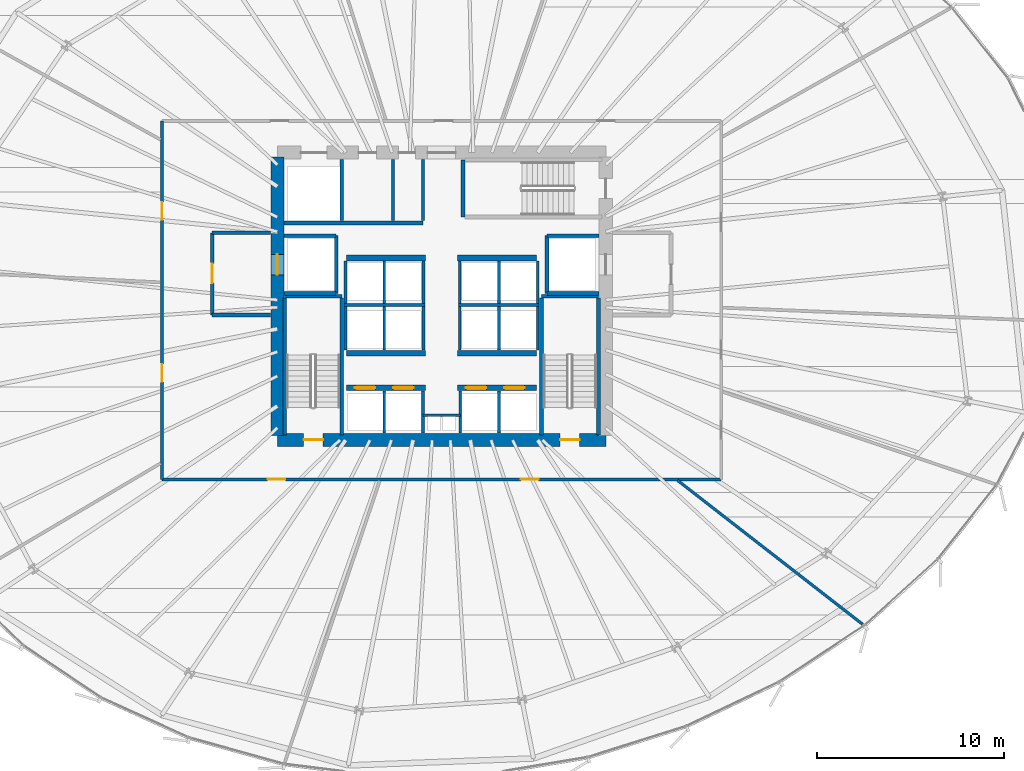
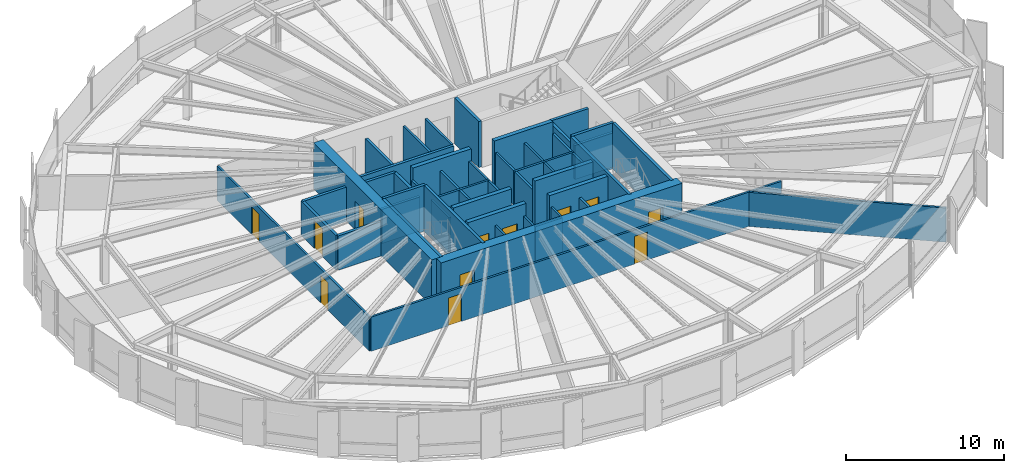
# One storey, part 31 of 38: 50 walls, 12 doors, 12 openings.
"""IFC4 building model written with IfcOpenShell, lengths in metres."""

import ifcopenshell
import ifcopenshell.guid

model = None  # the IFC model being written
_history = None  # IfcOwnerHistory: only IFC2X3 demands one
_inside = {}  # id of a spatial element -> (the spatial element, [elements in it])
_under = {}  # id of a project, library or spatial element -> (it, [spatial elements below it])
_declared = {}  # id of a project -> (the project, [libraries it declares])
_typed = {}  # id of a type object -> (the type object, [elements of that type])
_made_of = {}  # id of a material, layer set ... -> (it, [elements and type objects made of it])


def new_model(schema):
    """Start an empty IFC model of exactly this schema.

    Asked for "IFC4X3", IfcOpenShell would pick the latest addendum, in which some entities
    have other attributes; the version numbers below select the first issue.
    IFC2X3 requires an IfcOwnerHistory on every rooted entity: one is made here for all.
    """
    global model, _history
    if schema == "IFC4X3":
        model = ifcopenshell.file(schema_version=(4, 3, 0, 0))
    else:
        model = ifcopenshell.file(schema=schema)
    _inside.clear()
    _under.clear()
    _declared.clear()
    _typed.clear()
    _made_of.clear()
    _history = None
    if model.schema == "IFC2X3":
        org = make("IfcOrganization", Name="unknown")
        user = make(
            "IfcPersonAndOrganization",
            ThePerson=make("IfcPerson", FamilyName="unknown"),
            TheOrganization=org,
        )
        app = make(
            "IfcApplication",
            ApplicationDeveloper=org,
            Version="unknown",
            ApplicationFullName="unknown",
            ApplicationIdentifier="unknown",
        )
        _history = make(
            "IfcOwnerHistory",
            OwningUser=user,
            OwningApplication=app,
            ChangeAction="ADDED",
            CreationDate=0,
        )
    return model


def make(cls, **values):
    """One entity of the class cls with the attributes given. An attribute that is None is left unset."""
    return model.create_entity(
        cls, **{name: value for name, value in values.items() if value is not None}
    )


def rooted(cls, **values):
    """An entity with a GlobalId (a new one), such as an element, a storey or a relation."""
    return make(cls, GlobalId=ifcopenshell.guid.new(), OwnerHistory=_history, **values)


def si_unit(unit_type, name, prefix=None):
    """IfcSIUnit, for example si_unit("LENGTHUNIT", "METRE", prefix="MILLI")."""
    return make("IfcSIUnit", UnitType=unit_type, Prefix=prefix, Name=name)


def assignment(units):
    """IfcUnitAssignment: the units of a project."""
    return None if units is None else make("IfcUnitAssignment", Units=units)


def point(xyz):
    """IfcCartesianPoint."""
    return None if xyz is None else make("IfcCartesianPoint", Coordinates=xyz)


def direction(xyz):
    """IfcDirection."""
    return None if xyz is None else make("IfcDirection", DirectionRatios=xyz)


def frame(location, z_axis=None, x_axis=None):
    """IfcAxis2Placement3D, a coordinate frame: its origin and axes. An axis left out is left unset."""
    return make(
        "IfcAxis2Placement3D",
        Location=point(location),
        Axis=direction(z_axis),
        RefDirection=direction(x_axis),
    )


def frame_2d(location, x_axis=None):
    """IfcAxis2Placement2D, a coordinate frame in the plane: its origin and x axis."""
    return make(
        "IfcAxis2Placement2D", Location=point(location), RefDirection=direction(x_axis)
    )


def origin():
    """The frame at (0, 0, 0) with its axes left unset."""
    return frame((0.0, 0.0, 0.0))


def place(relative_to, where):
    """IfcLocalPlacement: puts the frame where relative to a parent placement (None: the world)."""
    return make(
        "IfcLocalPlacement", PlacementRelTo=relative_to, RelativePlacement=where
    )


def context(
    kind, dimensions, precision=None, world=None, true_north=None, identifier=None
):
    """IfcGeometricRepresentationContext, for example the 3D "Model" context."""
    return make(
        "IfcGeometricRepresentationContext",
        ContextIdentifier=identifier,
        ContextType=kind,
        CoordinateSpaceDimension=dimensions,
        Precision=precision,
        WorldCoordinateSystem=world,
        TrueNorth=true_north,
    )


def subcontext(parent, identifier, kind, view, scale=None):
    """IfcGeometricRepresentationSubContext, for example "Body" below "Model"."""
    return make(
        "IfcGeometricRepresentationSubContext",
        ContextIdentifier=identifier,
        ContextType=kind,
        ParentContext=parent,
        TargetScale=scale,
        TargetView=view,
    )


def project(units=None, contexts=None):
    """IfcProject with its units and contexts."""
    return rooted(
        "IfcProject",
        Name="project",
        RepresentationContexts=contexts,
        UnitsInContext=assignment(units),
    )


def spatial(cls, under=None, at=None, **own):
    """A site, building, storey or space (cls), placed at a placement, below another one or the project."""
    s = rooted(cls, ObjectPlacement=at, **own)
    if under is not None:
        _under.setdefault(under.id(), (under, []))[1].append(s)
    return s


def profile(cls, at=None, kind="AREA", **sizes):
    """A parametric profile (cls). Its sizes go by their IFC names, for example OverallWidth=200.0."""
    return make(cls, ProfileType=kind, Position=at, **sizes)


def rectangle(**sizes):
    """IfcRectangleProfileDef."""
    return profile("IfcRectangleProfileDef", **sizes)


def extrude(swept, where, along, depth):
    """IfcExtrudedAreaSolid: the profile swept, set in the frame where, extruded along a direction by depth."""
    return make(
        "IfcExtrudedAreaSolid",
        SweptArea=swept,
        Position=where,
        ExtrudedDirection=direction(along),
        Depth=depth,
    )


def shape(context_of_items, identifier, shape_type, items):
    """IfcShapeRepresentation: the items that make up one representation, for example the "Body"."""
    return make(
        "IfcShapeRepresentation",
        ContextOfItems=context_of_items,
        RepresentationIdentifier=identifier,
        RepresentationType=shape_type,
        Items=items,
    )


def source(mapping_origin, context_of_items, identifier, shape_type, items):
    """IfcRepresentationMap: a shape defined once, which mapped items show again and again."""
    return make(
        "IfcRepresentationMap",
        MappingOrigin=mapping_origin,
        MappedRepresentation=shape(context_of_items, identifier, shape_type, items),
    )


def transform(
    local_origin,
    x_axis=None,
    y_axis=None,
    z_axis=None,
    scale=None,
    scale2=None,
    scale3=None,
    uniform=True,
):
    """IfcCartesianTransformationOperator3D, or its non-uniform kind. x_axis, y_axis, z_axis: its Axis1, 2, 3."""
    if uniform:
        return make(
            "IfcCartesianTransformationOperator3D",
            Axis1=direction(x_axis),
            Axis2=direction(y_axis),
            LocalOrigin=point(local_origin),
            Scale=scale,
            Axis3=direction(z_axis),
        )
    return make(
        "IfcCartesianTransformationOperator3DnonUniform",
        Axis1=direction(x_axis),
        Axis2=direction(y_axis),
        LocalOrigin=point(local_origin),
        Scale=scale,
        Axis3=direction(z_axis),
        Scale2=scale2,
        Scale3=scale3,
    )


def mapped(mapping_source, mapping_target):
    """IfcMappedItem: shows the shape of a source again, moved by a transform."""
    return make(
        "IfcMappedItem", MappingSource=mapping_source, MappingTarget=mapping_target
    )


def material(Name=None, Category=None):
    """IfcMaterial."""
    return make("IfcMaterial", Name=Name, Category=Category)


def layer(
    of_material, thickness, ventilated=None, Name=None, Category=None, Priority=None
):
    """IfcMaterialLayer: one layer of a wall or slab, of a material (None: an air gap)."""
    return make(
        "IfcMaterialLayer",
        Material=of_material,
        LayerThickness=thickness,
        IsVentilated=ventilated,
        Name=Name,
        Category=Category,
        Priority=Priority,
    )


def layer_set(layers, Name=None):
    """IfcMaterialLayerSet."""
    return make("IfcMaterialLayerSet", MaterialLayers=layers, LayerSetName=Name)


def made_of(thing, what):
    """Note that an element or type object is made of a material, layer set ...; save() writes the relation."""
    if what is not None:
        _made_of.setdefault(what.id(), (what, []))[1].append(thing)
    return thing


def type_object(cls, material=None, **own):
    """A type object (cls), such as IfcWallType, which elements share."""
    return made_of(rooted(cls, **own), material)


def element(
    cls,
    number,
    at=None,
    inside=None,
    cuts=None,
    type_object=None,
    material=None,
    context=None,
    identifier="Body",
    shape_type=None,
    held_by="IfcProductDefinitionShape",
    body=None,
    shapes=None,
    **own,
):
    """One element of the class cls, such as IfcWall. Its Tag is "e" and its number.

    at: its placement. inside: the storey or other place that contains it. cuts: it is an
    opening in that element (IfcRelVoidsElement). A single representation is given by context,
    identifier, shape_type and body (its items); several are given by shapes. held_by: the class
    of the entity that holds the representations. save() writes the other relations.
    """
    e = rooted(cls, Tag="e%d" % number, ObjectPlacement=at, **own)
    if body is not None:
        shapes = [shape(context, identifier, shape_type, body)]
    if shapes is not None:
        e.Representation = make(held_by, Representations=shapes)
    if inside is not None:
        _inside.setdefault(inside.id(), (inside, []))[1].append(e)
    if cuts is not None:
        rooted(
            "IfcRelVoidsElement", RelatingBuildingElement=cuts, RelatedOpeningElement=e
        )
    if type_object is not None:
        _typed.setdefault(type_object.id(), (type_object, []))[1].append(e)
    return made_of(e, material)


def fill(opening, filler):
    """IfcRelFillsElement: the door or window that sits in an opening."""
    return rooted(
        "IfcRelFillsElement",
        RelatingOpeningElement=opening,
        RelatedBuildingElement=filler,
    )


def aggregate(whole, parts):
    """IfcRelAggregates: a whole, such as a stair, and the parts it consists of."""
    return rooted("IfcRelAggregates", RelatingObject=whole, RelatedObjects=parts)


def save(model, path):
    """Write the relations noted so far, then the file.

    IfcRelAggregates (storeys below a building ...), IfcRelContainedInSpatialStructure (elements
    in a storey), IfcRelDefinesByType, IfcRelAssociatesMaterial and IfcRelDeclares: one each for
    every whole, place, type object, material and project.
    """
    for whole, parts in _under.values():
        aggregate(whole, parts)
    for where, things in _inside.values():
        rooted(
            "IfcRelContainedInSpatialStructure",
            RelatedElements=things,
            RelatingStructure=where,
        )
    for kind, things in _typed.values():
        rooted("IfcRelDefinesByType", RelatedObjects=things, RelatingType=kind)
    for what, things in _made_of.values():
        rooted("IfcRelAssociatesMaterial", RelatedObjects=things, RelatingMaterial=what)
    for by, libraries in _declared.values():
        rooted("IfcRelDeclares", RelatingContext=by, RelatedDefinitions=libraries)
    model.write(path)


model = new_model("IFC4")

# Units and contexts
model_context = context("Model", 3, precision=1e-05, world=origin(), true_north=direction((0.0, 1.0)))
body_context = subcontext(model_context, "Body", "Model", "MODEL_VIEW")
ifc_project = project(units=[si_unit("LENGTHUNIT", "METRE"), si_unit("AREAUNIT", "SQUARE_METRE"), si_unit("VOLUMEUNIT", "CUBIC_METRE"), si_unit("PLANEANGLEUNIT", "RADIAN"), si_unit("MASSUNIT", "GRAM", prefix="KILO"), si_unit("THERMODYNAMICTEMPERATUREUNIT", "KELVIN")], contexts=[model_context])

# Site, building, storey
site_placement = place(None, origin())
site = spatial("IfcSite", under=ifc_project, at=site_placement, CompositionType="ELEMENT")
building_placement = place(site_placement, origin())
building = spatial("IfcBuilding", under=site, at=building_placement, Name="Kethvar Cultural Tower", CompositionType="ELEMENT")
storey_placement = place(building_placement, frame((0.0, 0.0, 52.39990234375)))
storey = spatial("IfcBuildingStorey", under=building, at=storey_placement, Name="L12", CompositionType="ELEMENT", Elevation=52.39990234375)

# Wall, openings, doors
ifc_material_1 = material(Name="Concrete C60/75", Category="concrete")
ifc_layer_1 = layer(ifc_material_1, 0.699951171875, Name="Concrete C60/75", Category="concrete")
ifc_layer_set_1 = layer_set([ifc_layer_1], Name="Concrete C60/75 (700 mm)")
wall_type_1 = type_object("IfcWallType", Name="WL-CORE-700", PredefinedType="SHEAR", material=ifc_layer_set_1)
wall_1_placement = place(storey_placement, frame((38.0, 20.10009765625, 0.0), z_axis=(0.0, 0.0, 1.0), x_axis=(1.0, 0.0, 0.0)))
wall_1 = element("IfcWall", 1, at=wall_1_placement, inside=storey, type_object=wall_type_1, Name="L12 Core Shear Wall S", PredefinedType="SHEAR", context=body_context, shape_type="SweptSolid", body=[
    extrude(rectangle(XDim=17.60009765625, YDim=0.699951171875, at=frame_2d((8.800048828125, 0.0))), origin(), (0.0, 0.0, 1.0), 3.550048828125),
])
opening_1_placement = place(wall_1_placement, frame((1.39990234375, 0.0, 0.0)))
opening_1 = element("IfcOpeningElement", 2, at=opening_1_placement, cuts=wall_1, Name="Opening D-L12-S1", PredefinedType="OPENING", context=body_context, shape_type="SweptSolid", body=[
    extrude(rectangle(XDim=1.050048828125, YDim=2.14990234375, at=frame_2d((0.52490234375, 1.074951171875))), frame((0.0, 0.35986328125, 0.0), z_axis=(0.0, -1.0, 0.0), x_axis=(1.0, 0.0, 0.0)), (0.0, 0.0, 1.0), 0.719970703125),
])
opening_2_placement = place(wall_1_placement, frame((15.14990234375, 0.0, 0.0)))
opening_2 = element("IfcOpeningElement", 3, at=opening_2_placement, cuts=wall_1, Name="Opening D-L12-ST2", PredefinedType="OPENING", context=body_context, shape_type="SweptSolid", body=[
    extrude(rectangle(XDim=1.050048828125, YDim=2.14990234375, at=frame_2d((0.52490234375, 1.074951171875))), frame((0.0, 0.35986328125, 0.0), z_axis=(0.0, -1.0, 0.0), x_axis=(1.0, 0.0, 0.0)), (0.0, 0.0, 1.0), 0.719970703125),
])
ifc_material_2 = material(Name="Steel S355J2", Category="steel")
door_type_1 = type_object("IfcDoorType", Name="DR-FD60-1050", OperationType="NOTDEFINED", PredefinedType="DOOR", material=ifc_material_2)
shared_shape_1 = source(origin(), body_context, "Body", "SweptSolid", [
    extrude(rectangle(XDim=1.050048828125, YDim=2.14990234375, at=frame_2d((0.52490234375, 1.074951171875))), frame((0.0, 0.02490234375, 0.0), z_axis=(0.0, -1.0, 0.0), x_axis=(1.0, 0.0, 0.0)), (0.0, 0.0, 1.0), 0.050048828125),
])
door_1_placement = place(opening_1_placement, origin())
door_1 = element("IfcDoor", 4, at=door_1_placement, inside=storey, type_object=door_type_1, Name="L12 Exit Stair 1 Door", OperationType="SINGLE_SWING_LEFT", OverallHeight=2.14990234375, OverallWidth=1.050048828125, PredefinedType="DOOR", context=body_context, shape_type="MappedRepresentation", body=[
    mapped(shared_shape_1, transform((0.0, 0.0, 0.0), scale=1.0)),
])
fill(opening_1, door_1)
door_2_placement = place(opening_2_placement, origin())
door_2 = element("IfcDoor", 5, at=door_2_placement, inside=storey, type_object=door_type_1, Name="L12 Exit Stair 2 Door", OperationType="SINGLE_SWING_RIGHT", OverallHeight=2.14990234375, OverallWidth=1.050048828125, PredefinedType="DOOR", context=body_context, shape_type="MappedRepresentation", body=[
    mapped(shared_shape_1, transform((0.0, 0.0, 0.0), scale=1.0)),
])
fill(opening_2, door_2)

# Wall, opening, door
wall_2_placement = place(storey_placement, frame((38.0, 35.260009765625, 0.0), z_axis=(0.0, 0.0, 1.0), x_axis=(0.0, -1.0, 0.0)))
wall_2 = element("IfcWall", 6, at=wall_2_placement, inside=storey, type_object=wall_type_1, Name="L12 Core Shear Wall W", PredefinedType="SHEAR", context=body_context, shape_type="SweptSolid", body=[
    extrude(rectangle(XDim=14.919921875, YDim=0.699951171875, at=frame_2d((7.4599609375, 0.0))), origin(), (0.0, 0.0, 1.0), 3.550048828125),
])
opening_3_placement = place(wall_2_placement, frame((5.2099609375, 0.0, 0.0)))
opening_3 = element("IfcOpeningElement", 7, at=opening_3_placement, cuts=wall_2, Name="Opening LD-1", PredefinedType="OPENING", context=body_context, shape_type="SweptSolid", body=[
    extrude(rectangle(XDim=1.10009765625, YDim=2.199951171875, at=frame_2d((0.550048828125, 1.10009765625))), frame((0.0, 0.35986328125, 0.0), z_axis=(0.0, -1.0, 0.0), x_axis=(1.0, 0.0, 0.0)), (0.0, 0.0, 1.0), 0.719970703125),
])
door_type_2 = type_object("IfcDoorType", Name="DR-LIFT-SLIDE-1100", OperationType="NOTDEFINED", PredefinedType="DOOR", material=ifc_material_2)
shared_shape_2 = source(origin(), body_context, "Body", "SweptSolid", [
    extrude(rectangle(XDim=1.10009765625, YDim=2.199951171875, at=frame_2d((0.550048828125, 1.10009765625))), frame((0.0, 0.02490234375, 0.0), z_axis=(0.0, -1.0, 0.0), x_axis=(1.0, 0.0, 0.0)), (0.0, 0.0, 1.0), 0.050048828125),
])
door_3_placement = place(opening_3_placement, origin())
door_3 = element("IfcDoor", 8, at=door_3_placement, inside=storey, type_object=door_type_2, Name="L12 Firefighting Lift Landing Door FFL-01", OperationType="SLIDING_TO_LEFT", OverallHeight=2.199951171875, OverallWidth=1.10009765625, PredefinedType="DOOR", context=body_context, shape_type="MappedRepresentation", body=[
    mapped(shared_shape_2, transform((0.0, 0.0, 0.0), scale=1.0)),
])
fill(opening_3, door_3)

# Walls
ifc_material_3 = material(Name="Gypsum Fireboard Partition")
ifc_layer_2 = layer(ifc_material_3, 0.14990234375, Name="Gypsum Fireboard Partition")
ifc_layer_set_2 = layer_set([ifc_layer_2], Name="Gypsum Fireboard Partition (150 mm)")
wall_type_2 = type_object("IfcWallType", Name="WL-FIRE-150", PredefinedType="PARTITIONING", material=ifc_layer_set_2)
wall_3_placement = place(storey_placement, frame((45.800048828125, 21.419921875, 0.0), z_axis=(0.0, 0.0, 1.0), x_axis=(1.0, 0.0, 0.0)))
element("IfcWall", 9, at=wall_3_placement, inside=storey, type_object=wall_type_2, Name="L12 Core Riser Wall", PredefinedType="PARTITIONING", context=body_context, shape_type="SweptSolid", body=[
    extrude(rectangle(XDim=2.0, YDim=0.14990234375, at=frame_2d((1.0, 0.0))), origin(), (0.0, 0.0, 1.0), 2.64501953125),
])
for number, where, z_axis, x_axis, name in (
    (10, (45.800048828125, 20.47998046875, 0.0), (0.0, 0.0, 1.0), (0.0, 1.0, 0.0), "L12 Core Riser West Wall"),
    (11, (47.800048828125, 20.47998046875, 0.0), (0.0, 0.0, 1.0), (0.0, 1.0, 0.0), "L12 Core Riser East Wall"),
):
    element("IfcWall", number, at=place(storey_placement, frame(where, z_axis=z_axis, x_axis=x_axis)), inside=storey, type_object=wall_type_2, Name=name, PredefinedType="PARTITIONING", context=body_context, shape_type="SweptSolid", body=[
        extrude(rectangle(XDim=2.239990234375, YDim=0.14990234375, at=frame_2d((1.1201171875, 0.0))), origin(), (0.0, 0.0, 1.0), 2.64501953125),
    ])
for number, where, z_axis, x_axis, name in (
    (12, (43.72509765625, 20.4599609375, 0.0), (0.0, 0.0, 1.0), (0.0, 1.0, 0.0), "L12 Low-Rise Lift Shaft Divider W"),
    (13, (49.875, 20.4599609375, 0.0), (0.0, 0.0, 1.0), (0.0, 1.0, 0.0), "L12 Low-Rise Lift Shaft Divider E"),
):
    element("IfcWall", number, at=place(storey_placement, frame(where, z_axis=z_axis, x_axis=x_axis)), inside=storey, type_object=wall_type_2, Name=name, PredefinedType="PARTITIONING", context=body_context, shape_type="SweptSolid", body=[
        extrude(rectangle(XDim=2.27001953125, YDim=0.14990234375, at=frame_2d((1.135009765625, 0.0))), origin(), (0.0, 0.0, 1.0), 2.64501953125),
    ])
wall_4_placement = place(storey_placement, frame((41.580078125, 27.324951171875, 0.0), z_axis=(0.0, 0.0, 1.0), x_axis=(1.0, 0.0, 0.0)))
element("IfcWall", 14, at=wall_4_placement, inside=storey, type_object=wall_type_2, Name="L12 Mid-High Lift Shaft Back Wall W", PredefinedType="PARTITIONING", context=body_context, shape_type="SweptSolid", body=[
    extrude(rectangle(XDim=4.31982421875, YDim=0.14990234375, at=frame_2d((2.159912109375, 0.0))), origin(), (0.0, 0.0, 1.0), 2.64501953125),
])
wall_5_placement = place(storey_placement, frame((47.699951171875, 27.324951171875, 0.0), z_axis=(0.0, 0.0, 1.0), x_axis=(1.0, 0.0, 0.0)))
element("IfcWall", 15, at=wall_5_placement, inside=storey, type_object=wall_type_2, Name="L12 Mid-High Lift Shaft Back Wall E", PredefinedType="PARTITIONING", context=body_context, shape_type="SweptSolid", body=[
    extrude(rectangle(XDim=4.320068359375, YDim=0.14990234375, at=frame_2d((2.16015625, 0.0))), origin(), (0.0, 0.0, 1.0), 2.64501953125),
])
for number, where, z_axis, x_axis, name in (
    (16, (41.64990234375, 24.919921875, 0.0), (0.0, 0.0, 1.0), (0.0, 1.0, 0.0), "L12 Mid-Rise Lift Shaft Outer Wall W"),
    (17, (43.72509765625, 24.919921875, 0.0), (0.0, 0.0, 1.0), (0.0, 1.0, 0.0), "L12 Mid-Rise Lift Shaft Divider W"),
    (18, (45.824951171875, 24.919921875, 0.0), (0.0, 0.0, 1.0), (0.0, 1.0, 0.0), "L12 Mid-Rise Lift Shaft Concourse Wall W"),
    (19, (47.77490234375, 24.919921875, 0.0), (0.0, 0.0, 1.0), (0.0, 1.0, 0.0), "L12 Mid-Rise Lift Shaft Concourse Wall E"),
    (20, (49.875, 24.919921875, 0.0), (0.0, 0.0, 1.0), (0.0, 1.0, 0.0), "L12 Mid-Rise Lift Shaft Divider E"),
    (21, (51.949951171875, 24.919921875, 0.0), (0.0, 0.0, 1.0), (0.0, 1.0, 0.0), "L12 Mid-Rise Lift Shaft Outer Wall E"),
):
    element("IfcWall", number, at=place(storey_placement, frame(where, z_axis=z_axis, x_axis=x_axis)), inside=storey, type_object=wall_type_2, Name=name, PredefinedType="PARTITIONING", context=body_context, shape_type="SweptSolid", body=[
        extrude(rectangle(XDim=2.320068359375, YDim=0.14990234375, at=frame_2d((1.16015625, 0.0))), origin(), (0.0, 0.0, 1.0), 2.64501953125),
    ])
for number, where, z_axis, x_axis, name in (
    (22, (41.64990234375, 27.409912109375, 0.0), (0.0, 0.0, 1.0), (0.0, 1.0, 0.0), "L12 High-Rise Lift Shaft Outer Wall W"),
    (23, (43.72509765625, 27.409912109375, 0.0), (0.0, 0.0, 1.0), (0.0, 1.0, 0.0), "L12 High-Rise Lift Shaft Divider W"),
    (24, (45.824951171875, 27.409912109375, 0.0), (0.0, 0.0, 1.0), (0.0, 1.0, 0.0), "L12 High-Rise Lift Shaft Concourse Wall W"),
    (25, (47.77490234375, 27.409912109375, 0.0), (0.0, 0.0, 1.0), (0.0, 1.0, 0.0), "L12 High-Rise Lift Shaft Concourse Wall E"),
    (26, (49.875, 27.409912109375, 0.0), (0.0, 0.0, 1.0), (0.0, 1.0, 0.0), "L12 High-Rise Lift Shaft Divider E"),
    (27, (51.949951171875, 27.409912109375, 0.0), (0.0, 0.0, 1.0), (0.0, 1.0, 0.0), "L12 High-Rise Lift Shaft Outer Wall E"),
):
    element("IfcWall", number, at=place(storey_placement, frame(where, z_axis=z_axis, x_axis=x_axis)), inside=storey, type_object=wall_type_2, Name=name, PredefinedType="PARTITIONING", context=body_context, shape_type="SweptSolid", body=[
        extrude(rectangle(XDim=2.27001953125, YDim=0.14990234375, at=frame_2d((1.135009765625, 0.0))), origin(), (0.0, 0.0, 1.0), 2.64501953125),
    ])
wall_6_placement = place(storey_placement, frame((45.800048828125, 31.85009765625, 0.0), z_axis=(0.0, 0.0, 1.0), x_axis=(0.0, 1.0, 0.0)))
element("IfcWall", 28, at=wall_6_placement, inside=storey, type_object=wall_type_2, Name="L12 Sanitary Spine Wall", PredefinedType="PARTITIONING", context=body_context, shape_type="SweptSolid", body=[
    extrude(rectangle(XDim=3.289794921875, YDim=0.14990234375, at=frame_2d((1.64501953125, 0.0))), origin(), (0.0, 0.0, 1.0), 2.64501953125),
])

# Wall, openings, doors
wall_7_placement = place(storey_placement, frame((31.81005859375, 17.97998046875, 0.0), z_axis=(0.0, 0.0, 1.0), x_axis=(1.0, 0.0, 0.0)))
wall_7 = element("IfcWall", 29, at=wall_7_placement, inside=storey, type_object=wall_type_2, Name="L12 Corridor Rated Wall S", PredefinedType="PARTITIONING", context=body_context, shape_type="SweptSolid", body=[
    extrude(rectangle(XDim=29.97998046875, YDim=0.14990234375, at=frame_2d((14.989990234375, 0.0))), origin(), (0.0, 0.0, 1.0), 2.64501953125),
])
opening_4_placement = place(wall_7_placement, frame((5.6630859375, 0.0, 0.0)))
opening_4 = element("IfcOpeningElement", 30, at=opening_4_placement, cuts=wall_7, Name="Opening D-L12-01", PredefinedType="OPENING", context=body_context, shape_type="SweptSolid", body=[
    extrude(rectangle(XDim=0.949951171875, YDim=2.14990234375, at=frame_2d((0.47509765625, 1.074951171875))), frame((0.0, 0.0849609375, 0.0), z_axis=(0.0, -1.0, 0.0), x_axis=(1.0, 0.0, 0.0)), (0.0, 0.0, 1.0), 0.169921875),
])
opening_5_placement = place(wall_7_placement, frame((19.240234375, 0.0, 0.0)))
opening_5 = element("IfcOpeningElement", 31, at=opening_5_placement, cuts=wall_7, Name="Opening D-L12-02", PredefinedType="OPENING", context=body_context, shape_type="SweptSolid", body=[
    extrude(rectangle(XDim=0.949951171875, YDim=2.14990234375, at=frame_2d((0.47509765625, 1.074951171875))), frame((0.0, 0.0849609375, 0.0), z_axis=(0.0, -1.0, 0.0), x_axis=(1.0, 0.0, 0.0)), (0.0, 0.0, 1.0), 0.169921875),
])
ifc_material_4 = material(Name="Architectural Oak Timber", Category="wood")
door_type_3 = type_object("IfcDoorType", Name="DR-FD30-950", OperationType="NOTDEFINED", PredefinedType="DOOR", material=ifc_material_4)
shared_shape_3 = source(origin(), body_context, "Body", "SweptSolid", [
    extrude(rectangle(XDim=0.949951171875, YDim=2.14990234375, at=frame_2d((0.47509765625, 1.074951171875))), frame((0.0, 0.02490234375, 0.0), z_axis=(0.0, -1.0, 0.0), x_axis=(1.0, 0.0, 0.0)), (0.0, 0.0, 1.0), 0.050048828125),
])
door_4_placement = place(opening_4_placement, origin())
door_4 = element("IfcDoor", 32, at=door_4_placement, inside=storey, type_object=door_type_3, Name="L12 Contemporary Art Salon 01 Door", OperationType="SINGLE_SWING_LEFT", OverallHeight=2.14990234375, OverallWidth=0.949951171875, PredefinedType="DOOR", context=body_context, shape_type="MappedRepresentation", body=[
    mapped(shared_shape_3, transform((0.0, 0.0, 0.0), scale=1.0)),
])
fill(opening_4, door_4)
door_5_placement = place(opening_5_placement, origin())
door_5 = element("IfcDoor", 33, at=door_5_placement, inside=storey, type_object=door_type_3, Name="L12 Main Public Reading Library 02 Door", OperationType="SINGLE_SWING_RIGHT", OverallHeight=2.14990234375, OverallWidth=0.949951171875, PredefinedType="DOOR", context=body_context, shape_type="MappedRepresentation", body=[
    mapped(shared_shape_3, transform((0.0, 0.0, 0.0), scale=1.0)),
])
fill(opening_5, door_5)

wall_8_placement = place(storey_placement, frame((31.81005859375, 37.199951171875, 0.0), z_axis=(0.0, 0.0, 1.0), x_axis=(0.0, -1.0, 0.0)))
wall_8 = element("IfcWall", 34, at=wall_8_placement, inside=storey, type_object=wall_type_2, Name="L12 Corridor Rated Wall W", PredefinedType="PARTITIONING", context=body_context, shape_type="SweptSolid", body=[
    extrude(rectangle(XDim=19.219970703125, YDim=0.14990234375, at=frame_2d((9.60986328125, 0.0))), origin(), (0.0, 0.0, 1.0), 2.64501953125),
])
opening_6_placement = place(wall_8_placement, frame((4.359130859375, 0.0, 0.0)))
opening_6 = element("IfcOpeningElement", 35, at=opening_6_placement, cuts=wall_8, Name="Opening D-L12-09", PredefinedType="OPENING", context=body_context, shape_type="SweptSolid", body=[
    extrude(rectangle(XDim=0.949951171875, YDim=2.14990234375, at=frame_2d((0.47509765625, 1.074951171875))), frame((0.0, 0.0849609375, 0.0), z_axis=(0.0, -1.0, 0.0), x_axis=(1.0, 0.0, 0.0)), (0.0, 0.0, 1.0), 0.169921875),
])
opening_7_placement = place(wall_8_placement, frame((13.032958984375, 0.0, 0.0)))
opening_7 = element("IfcOpeningElement", 36, at=opening_7_placement, cuts=wall_8, Name="Opening D-L12-10", PredefinedType="OPENING", context=body_context, shape_type="SweptSolid", body=[
    extrude(rectangle(XDim=0.949951171875, YDim=2.14990234375, at=frame_2d((0.47509765625, 1.074951171875))), frame((0.0, 0.0849609375, 0.0), z_axis=(0.0, -1.0, 0.0), x_axis=(1.0, 0.0, 0.0)), (0.0, 0.0, 1.0), 0.169921875),
])
door_6_placement = place(opening_6_placement, origin())
door_6 = element("IfcDoor", 37, at=door_6_placement, inside=storey, type_object=door_type_3, Name="L12 Fellowship Seminar Room 09 Door", OperationType="SINGLE_SWING_LEFT", OverallHeight=2.14990234375, OverallWidth=0.949951171875, PredefinedType="DOOR", context=body_context, shape_type="MappedRepresentation", body=[
    mapped(shared_shape_3, transform((0.0, 0.0, 0.0), scale=1.0)),
])
fill(opening_6, door_6)
door_7_placement = place(opening_7_placement, origin())
door_7 = element("IfcDoor", 38, at=door_7_placement, inside=storey, type_object=door_type_3, Name="L12 Editorial Partner Office 10 Door", OperationType="SINGLE_SWING_RIGHT", OverallHeight=2.14990234375, OverallWidth=0.949951171875, PredefinedType="DOOR", context=body_context, shape_type="MappedRepresentation", body=[
    mapped(shared_shape_3, transform((0.0, 0.0, 0.0), scale=1.0)),
])
fill(opening_7, door_7)

# Walls
ifc_material_5 = material(Name="Concrete C40/50", Category="concrete")
ifc_layer_3 = layer(ifc_material_5, 0.199951171875, Name="Concrete C40/50", Category="concrete")
ifc_layer_set_3 = layer_set([ifc_layer_3], Name="Concrete C40/50 (200 mm)")
wall_type_3 = type_object("IfcWallType", Name="WL-FIRE-200", PredefinedType="PARTITIONING", material=ifc_layer_set_3)
wall_9_placement = place(storey_placement, frame((41.14990234375, 27.949951171875, 0.0), z_axis=(0.0, 0.0, 1.0), x_axis=(0.0, 1.0, 0.0)))
element("IfcWall", 39, at=wall_9_placement, inside=storey, type_object=wall_type_3, Name="L12 FFL-01 Shaft Inner Wall", PredefinedType="PARTITIONING", context=body_context, shape_type="SweptSolid", body=[
    extrude(rectangle(XDim=3.10009765625, YDim=0.199951171875, at=frame_2d((1.550048828125, 0.0))), origin(), (0.0, 0.0, 1.0), 2.64501953125),
])
for number, where, z_axis, x_axis, name in (
    (40, (38.360107421875, 27.949951171875, 0.0), (0.0, 0.0, 1.0), (1.0, 0.0, 0.0), "L12 FFL-01 Shaft South Wall"),
    (41, (38.360107421875, 31.050048828125, 0.0), (0.0, 0.0, 1.0), (1.0, 0.0, 0.0), "L12 FFL-01 Shaft North Wall"),
):
    element("IfcWall", number, at=place(storey_placement, frame(where, z_axis=z_axis, x_axis=x_axis)), inside=storey, type_object=wall_type_3, Name=name, PredefinedType="PARTITIONING", context=body_context, shape_type="SweptSolid", body=[
        extrude(rectangle(XDim=2.789794921875, YDim=0.199951171875, at=frame_2d((1.39501953125, 0.0))), origin(), (0.0, 0.0, 1.0), 2.64501953125),
    ])

# Wall, opening, door
wall_10_placement = place(storey_placement, frame((34.5, 31.199951171875, 0.0), z_axis=(0.0, 0.0, 1.0), x_axis=(0.0, -1.0, 0.0)))
wall_10 = element("IfcWall", 42, at=wall_10_placement, inside=storey, type_object=wall_type_3, Name="L12 Firefighting Lobby 1 Wall", PredefinedType="PARTITIONING", context=body_context, shape_type="SweptSolid", body=[
    extrude(rectangle(XDim=4.39990234375, YDim=0.199951171875, at=frame_2d((2.199951171875, 0.0))), origin(), (0.0, 0.0, 1.0), 2.64501953125),
])
opening_8_placement = place(wall_10_placement, frame((1.64990234375, 0.0, 0.0)))
opening_8 = element("IfcOpeningElement", 43, at=opening_8_placement, cuts=wall_10, Name="Opening D-L12-F1", PredefinedType="OPENING", context=body_context, shape_type="SweptSolid", body=[
    extrude(rectangle(XDim=1.050048828125, YDim=2.14990234375, at=frame_2d((0.52490234375, 1.074951171875))), frame((0.0, 0.10986328125, 0.0), z_axis=(0.0, -1.0, 0.0), x_axis=(1.0, 0.0, 0.0)), (0.0, 0.0, 1.0), 0.219970703125),
])
door_8_placement = place(opening_8_placement, origin())
door_8 = element("IfcDoor", 44, at=door_8_placement, inside=storey, type_object=door_type_1, Name="L12 Firefighting Lobby 1 Fire Door", OperationType="SINGLE_SWING_LEFT", OverallHeight=2.14990234375, OverallWidth=1.050048828125, PredefinedType="DOOR", context=body_context, shape_type="MappedRepresentation", body=[
    mapped(shared_shape_1, transform((0.0, 0.0, 0.0), scale=1.0)),
])
fill(opening_8, door_8)

# Walls
for number, where, z_axis, x_axis, name in (
    (45, (34.5, 26.800048828125, 0.0), (0.0, 0.0, 1.0), (1.0, 0.0, 0.0), "L12 FF Lobby 1 South Wall"),
    (46, (34.5, 31.199951171875, 0.0), (0.0, 0.0, 1.0), (1.0, 0.0, 0.0), "L12 FF Lobby 1 North Wall"),
):
    element("IfcWall", number, at=place(storey_placement, frame(where, z_axis=z_axis, x_axis=x_axis)), inside=storey, type_object=wall_type_3, Name=name, PredefinedType="PARTITIONING", context=body_context, shape_type="SweptSolid", body=[
        extrude(rectangle(XDim=3.139892578125, YDim=0.199951171875, at=frame_2d((1.56982421875, 0.0))), origin(), (0.0, 0.0, 1.0), 2.64501953125),
    ])
wall_11_placement = place(storey_placement, frame((52.449951171875, 27.949951171875, 0.0), z_axis=(0.0, 0.0, 1.0), x_axis=(0.0, 1.0, 0.0)))
element("IfcWall", 47, at=wall_11_placement, inside=storey, type_object=wall_type_3, Name="L12 FFL-02 Shaft Inner Wall", PredefinedType="PARTITIONING", context=body_context, shape_type="SweptSolid", body=[
    extrude(rectangle(XDim=3.10009765625, YDim=0.199951171875, at=frame_2d((1.550048828125, 0.0))), origin(), (0.0, 0.0, 1.0), 2.64501953125),
])
for number, where, z_axis, x_axis, name in (
    (48, (52.449951171875, 27.949951171875, 0.0), (0.0, 0.0, 1.0), (1.0, 0.0, 0.0), "L12 FFL-02 Shaft South Wall"),
    (49, (52.449951171875, 31.050048828125, 0.0), (0.0, 0.0, 1.0), (1.0, 0.0, 0.0), "L12 FFL-02 Shaft North Wall"),
):
    element("IfcWall", number, at=place(storey_placement, frame(where, z_axis=z_axis, x_axis=x_axis)), inside=storey, type_object=wall_type_3, Name=name, PredefinedType="PARTITIONING", context=body_context, shape_type="SweptSolid", body=[
        extrude(rectangle(XDim=2.7900390625, YDim=0.199951171875, at=frame_2d((1.39501953125, 0.0))), origin(), (0.0, 0.0, 1.0), 2.64501953125),
    ])
wall_12_placement = place(storey_placement, frame((41.449951171875, 31.85009765625, 0.0), z_axis=(0.0, 0.0, 1.0), x_axis=(0.0, 1.0, 0.0)))
element("IfcWall", 50, at=wall_12_placement, inside=storey, type_object=wall_type_3, Name="L12 NW Core Pocket Wall", PredefinedType="PARTITIONING", context=body_context, shape_type="SweptSolid", body=[
    extrude(rectangle(XDim=3.289794921875, YDim=0.199951171875, at=frame_2d((1.64501953125, 0.0))), origin(), (0.0, 0.0, 1.0), 2.64501953125),
])
wall_13_placement = place(storey_placement, frame((38.360107421875, 31.72998046875, 0.0), z_axis=(0.0, 0.0, 1.0), x_axis=(1.0, 0.0, 0.0)))
element("IfcWall", 51, at=wall_13_placement, inside=storey, type_object=wall_type_3, Name="L12 North Core Sanitary South Wall", PredefinedType="PARTITIONING", context=body_context, shape_type="SweptSolid", body=[
    extrude(rectangle(XDim=7.43994140625, YDim=0.199951171875, at=frame_2d((3.719970703125, 0.0))), origin(), (0.0, 0.0, 1.0), 2.64501953125),
])
ifc_material_6 = material(Name="Gypsum Acoustic Partition")
ifc_layer_4 = layer(ifc_material_6, 0.14990234375, Name="Gypsum Acoustic Partition")
ifc_layer_set_4 = layer_set([ifc_layer_4], Name="Gypsum Acoustic Partition (150 mm)")
wall_type_4 = type_object("IfcWallType", Name="WL-PART-150", PredefinedType="PARTITIONING", material=ifc_layer_set_4)
wall_14_placement = place(storey_placement, frame((59.447265625, 17.930908203125, 0.0), z_axis=(0.0, 0.0, 1.0), x_axis=(0.789361633342, -0.613928507082, 0.0)))
element("IfcWall", 52, at=wall_14_placement, inside=storey, type_object=wall_type_4, Name="L12 Radial Partition Wall 03", PredefinedType="PARTITIONING", context=body_context, shape_type="SweptSolid", body=[
    extrude(rectangle(XDim=12.565185546875, YDim=0.14990234375, at=frame_2d((6.28271484375, 0.0))), origin(), (0.0, 0.0, 1.0), 2.64501953125),
])
ifc_material_7 = material(Name="Moisture-Resistant Sanitary Chase Wall")
ifc_layer_5 = layer(ifc_material_7, 0.14990234375, Name="Moisture-Resistant Sanitary Chase Wall")
ifc_layer_set_5 = layer_set([ifc_layer_5], Name="Moisture-Resistant Sanitary Chase Wall (150 mm)")
wall_type_5 = type_object("IfcWallType", Name="WL-PLUMB-150", PredefinedType="PLUMBINGWALL", material=ifc_layer_set_5)
wall_15_placement = place(storey_placement, frame((44.199951171875, 31.85009765625, 0.0), z_axis=(0.0, 0.0, 1.0), x_axis=(0.0, 1.0, 0.0)))
element("IfcWall", 53, at=wall_15_placement, inside=storey, type_object=wall_type_5, Name="L12 Sanitary Plumbing Wall", PredefinedType="PLUMBINGWALL", context=body_context, shape_type="SweptSolid", body=[
    extrude(rectangle(XDim=3.289794921875, YDim=0.14990234375, at=frame_2d((1.64501953125, 0.0))), origin(), (0.0, 0.0, 1.0), 2.64501953125),
])

# Wall, openings, doors
ifc_material_8 = material(Name="Concrete C50/60", Category="concrete")
ifc_layer_6 = layer(ifc_material_8, 0.300048828125, Name="Concrete C50/60", Category="concrete")
ifc_layer_set_6 = layer_set([ifc_layer_6], Name="Concrete C50/60 (300 mm)")
wall_type_6 = type_object("IfcWallType", Name="WL-SHAFT-300", PredefinedType="SHEAR", material=ifc_layer_set_6)
wall_16_placement = place(storey_placement, frame((41.699951171875, 22.89990234375, 0.0), z_axis=(0.0, 0.0, 1.0), x_axis=(1.0, 0.0, 0.0)))
wall_16 = element("IfcWall", 54, at=wall_16_placement, inside=storey, type_object=wall_type_6, Name="L12 Core Lift Spine Wall MID1W", PredefinedType="SHEAR", context=body_context, shape_type="SweptSolid", body=[
    extrude(rectangle(XDim=4.25, YDim=0.300048828125, at=frame_2d((2.125, 0.0))), origin(), (0.0, 0.0, 1.0), 3.550048828125),
])
opening_9_placement = place(wall_16_placement, frame((0.449951171875, 0.0, 0.0)))
opening_9 = element("IfcOpeningElement", 55, at=opening_9_placement, cuts=wall_16, Name="Opening LD-L1", PredefinedType="OPENING", context=body_context, shape_type="SweptSolid", body=[
    extrude(rectangle(XDim=1.10009765625, YDim=2.199951171875, at=frame_2d((0.550048828125, 1.10009765625))), frame((0.0, 0.159912109375, 0.0), z_axis=(0.0, -1.0, 0.0), x_axis=(1.0, 0.0, 0.0)), (0.0, 0.0, 1.0), 0.320068359375),
])
opening_10_placement = place(wall_16_placement, frame((2.5, 0.0, 0.0)))
opening_10 = element("IfcOpeningElement", 56, at=opening_10_placement, cuts=wall_16, Name="Opening LD-L2", PredefinedType="OPENING", context=body_context, shape_type="SweptSolid", body=[
    extrude(rectangle(XDim=1.10009765625, YDim=2.199951171875, at=frame_2d((0.550048828125, 1.10009765625))), frame((0.0, 0.159912109375, 0.0), z_axis=(0.0, -1.0, 0.0), x_axis=(1.0, 0.0, 0.0)), (0.0, 0.0, 1.0), 0.320068359375),
])
door_9_placement = place(opening_9_placement, origin())
door_9 = element("IfcDoor", 57, at=door_9_placement, inside=storey, type_object=door_type_2, Name="L12 Low-Rise Lift Landing Door L1", OperationType="SLIDING_TO_LEFT", OverallHeight=2.199951171875, OverallWidth=1.10009765625, PredefinedType="DOOR", context=body_context, shape_type="MappedRepresentation", body=[
    mapped(shared_shape_2, transform((0.0, 0.0, 0.0), scale=1.0)),
])
fill(opening_9, door_9)
door_10_placement = place(opening_10_placement, origin())
door_10 = element("IfcDoor", 58, at=door_10_placement, inside=storey, type_object=door_type_2, Name="L12 Low-Rise Lift Landing Door L2", OperationType="SLIDING_TO_LEFT", OverallHeight=2.199951171875, OverallWidth=1.10009765625, PredefinedType="DOOR", context=body_context, shape_type="MappedRepresentation", body=[
    mapped(shared_shape_2, transform((0.0, 0.0, 0.0), scale=1.0)),
])
fill(opening_10, door_10)

wall_17_placement = place(storey_placement, frame((47.64990234375, 22.89990234375, 0.0), z_axis=(0.0, 0.0, 1.0), x_axis=(1.0, 0.0, 0.0)))
wall_17 = element("IfcWall", 59, at=wall_17_placement, inside=storey, type_object=wall_type_6, Name="L12 Core Lift Spine Wall MID1E", PredefinedType="SHEAR", context=body_context, shape_type="SweptSolid", body=[
    extrude(rectangle(XDim=4.25, YDim=0.300048828125, at=frame_2d((2.125, 0.0))), origin(), (0.0, 0.0, 1.0), 3.550048828125),
])
opening_11_placement = place(wall_17_placement, frame((0.449951171875, 0.0, 0.0)))
opening_11 = element("IfcOpeningElement", 60, at=opening_11_placement, cuts=wall_17, Name="Opening LD-L3", PredefinedType="OPENING", context=body_context, shape_type="SweptSolid", body=[
    extrude(rectangle(XDim=1.10009765625, YDim=2.199951171875, at=frame_2d((0.550048828125, 1.10009765625))), frame((0.0, 0.159912109375, 0.0), z_axis=(0.0, -1.0, 0.0), x_axis=(1.0, 0.0, 0.0)), (0.0, 0.0, 1.0), 0.320068359375),
])
opening_12_placement = place(wall_17_placement, frame((2.5, 0.0, 0.0)))
opening_12 = element("IfcOpeningElement", 61, at=opening_12_placement, cuts=wall_17, Name="Opening LD-L4", PredefinedType="OPENING", context=body_context, shape_type="SweptSolid", body=[
    extrude(rectangle(XDim=1.10009765625, YDim=2.199951171875, at=frame_2d((0.550048828125, 1.10009765625))), frame((0.0, 0.159912109375, 0.0), z_axis=(0.0, -1.0, 0.0), x_axis=(1.0, 0.0, 0.0)), (0.0, 0.0, 1.0), 0.320068359375),
])
door_11_placement = place(opening_11_placement, origin())
door_11 = element("IfcDoor", 62, at=door_11_placement, inside=storey, type_object=door_type_2, Name="L12 Low-Rise Lift Landing Door L3", OperationType="SLIDING_TO_LEFT", OverallHeight=2.199951171875, OverallWidth=1.10009765625, PredefinedType="DOOR", context=body_context, shape_type="MappedRepresentation", body=[
    mapped(shared_shape_2, transform((0.0, 0.0, 0.0), scale=1.0)),
])
fill(opening_11, door_11)
door_12_placement = place(opening_12_placement, origin())
door_12 = element("IfcDoor", 63, at=door_12_placement, inside=storey, type_object=door_type_2, Name="L12 Low-Rise Lift Landing Door L4", OperationType="SLIDING_TO_LEFT", OverallHeight=2.199951171875, OverallWidth=1.10009765625, PredefinedType="DOOR", context=body_context, shape_type="MappedRepresentation", body=[
    mapped(shared_shape_2, transform((0.0, 0.0, 0.0), scale=1.0)),
])
fill(opening_12, door_12)

# Walls
for number, where, z_axis, x_axis, name in (
    (64, (41.699951171875, 24.75, 0.0), (0.0, 0.0, 1.0), (1.0, 0.0, 0.0), "L12 Core Lift Spine Wall MID2W"),
    (65, (47.64990234375, 24.75, 0.0), (0.0, 0.0, 1.0), (1.0, 0.0, 0.0), "L12 Core Lift Spine Wall MID2E"),
    (66, (41.699951171875, 29.85009765625, 0.0), (0.0, 0.0, 1.0), (1.0, 0.0, 0.0), "L12 Core Lift Spine Wall MID3W"),
    (67, (47.64990234375, 29.85009765625, 0.0), (0.0, 0.0, 1.0), (1.0, 0.0, 0.0), "L12 Core Lift Spine Wall MID3E"),
):
    element("IfcWall", number, at=place(storey_placement, frame(where, z_axis=z_axis, x_axis=x_axis)), inside=storey, type_object=wall_type_6, Name=name, PredefinedType="SHEAR", context=body_context, shape_type="SweptSolid", body=[
        extrude(rectangle(XDim=4.25, YDim=0.300048828125, at=frame_2d((2.125, 0.0))), origin(), (0.0, 0.0, 1.0), 3.550048828125),
    ])
ifc_layer_7 = layer(ifc_material_8, 0.199951171875, Name="Concrete C50/60", Category="concrete")
ifc_layer_set_7 = layer_set([ifc_layer_7], Name="Concrete C50/60 (200 mm)")
wall_type_7 = type_object("IfcWallType", Name="WL-STSHAFT-200", PredefinedType="SHEAR", material=ifc_layer_set_7)
wall_18_placement = place(storey_placement, frame((38.389892578125, 27.800048828125, 0.0), z_axis=(0.0, 0.0, 1.0), x_axis=(1.0, 0.0, 0.0)))
element("IfcWall", 68, at=wall_18_placement, inside=storey, type_object=wall_type_7, Name="L12 ST-01 Stair Shaft Wall FAR", PredefinedType="SHEAR", context=body_context, shape_type="SweptSolid", body=[
    extrude(rectangle(XDim=3.06005859375, YDim=0.199951171875, at=frame_2d((1.530029296875, 0.0))), origin(), (0.0, 0.0, 1.0), 3.550048828125),
])
for number, where, z_axis, x_axis, name in (
    (69, (41.449951171875, 27.699951171875, 0.0), (0.0, 0.0, 1.0), (0.0, -1.0, 0.0), "L12 ST-01 Stair Shaft Wall LEFT"),
    (70, (38.389892578125, 20.35009765625, 0.0), (0.0, 0.0, 1.0), (0.0, 1.0, 0.0), "L12 ST-01 Stair Shaft Wall RIGHT"),
):
    element("IfcWall", number, at=place(storey_placement, frame(where, z_axis=z_axis, x_axis=x_axis)), inside=storey, type_object=wall_type_7, Name=name, PredefinedType="SHEAR", context=body_context, shape_type="SweptSolid", body=[
        extrude(rectangle(XDim=7.349853515625, YDim=0.199951171875, at=frame_2d((3.6748046875, 0.0))), origin(), (0.0, 0.0, 1.0), 3.550048828125),
    ])
wall_19_placement = place(storey_placement, frame((52.14990234375, 27.800048828125, 0.0), z_axis=(0.0, 0.0, 1.0), x_axis=(1.0, 0.0, 0.0)))
element("IfcWall", 71, at=wall_19_placement, inside=storey, type_object=wall_type_7, Name="L12 ST-02 Stair Shaft Wall FAR", PredefinedType="SHEAR", context=body_context, shape_type="SweptSolid", body=[
    extrude(rectangle(XDim=3.06005859375, YDim=0.199951171875, at=frame_2d((1.530029296875, 0.0))), origin(), (0.0, 0.0, 1.0), 3.550048828125),
])
for number, where, z_axis, x_axis, name in (
    (72, (55.2099609375, 27.699951171875, 0.0), (0.0, 0.0, 1.0), (0.0, -1.0, 0.0), "L12 ST-02 Stair Shaft Wall LEFT"),
    (73, (52.14990234375, 20.35009765625, 0.0), (0.0, 0.0, 1.0), (0.0, 1.0, 0.0), "L12 ST-02 Stair Shaft Wall RIGHT"),
):
    element("IfcWall", number, at=place(storey_placement, frame(where, z_axis=z_axis, x_axis=x_axis)), inside=storey, type_object=wall_type_7, Name=name, PredefinedType="SHEAR", context=body_context, shape_type="SweptSolid", body=[
        extrude(rectangle(XDim=7.349853515625, YDim=0.199951171875, at=frame_2d((3.6748046875, 0.0))), origin(), (0.0, 0.0, 1.0), 3.550048828125),
    ])
wall_20_placement = place(storey_placement, frame((47.949951171875, 32.050048828125, 0.0), z_axis=(0.0, 0.0, 1.0), x_axis=(0.0, 1.0, 0.0)))
element("IfcWall", 74, at=wall_20_placement, inside=storey, type_object=wall_type_7, Name="L12 ST-03 Stair Shaft Wall FAR", PredefinedType="SHEAR", context=body_context, shape_type="SweptSolid", body=[
    extrude(rectangle(XDim=3.06005859375, YDim=0.199951171875, at=frame_2d((1.530029296875, 0.0))), origin(), (0.0, 0.0, 1.0), 3.550048828125),
])

save(model, "model.ifc")
